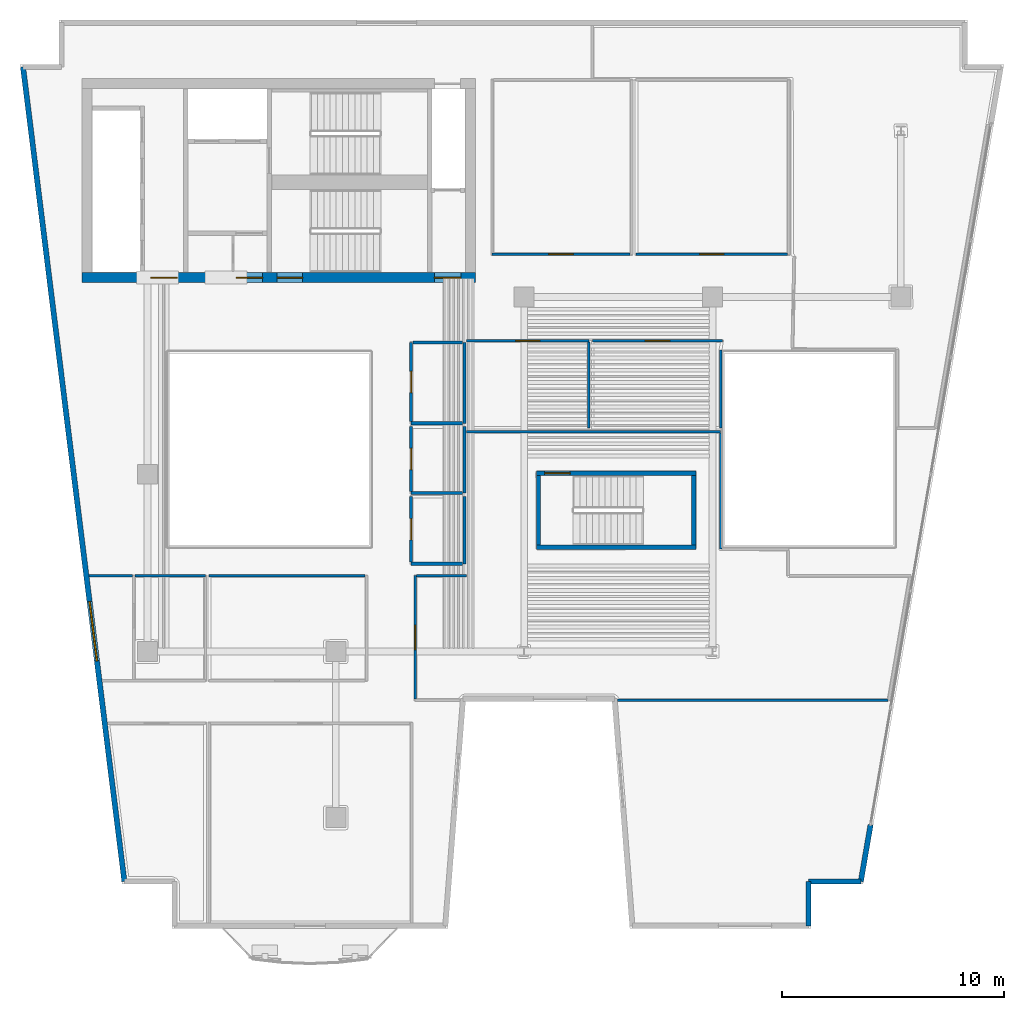
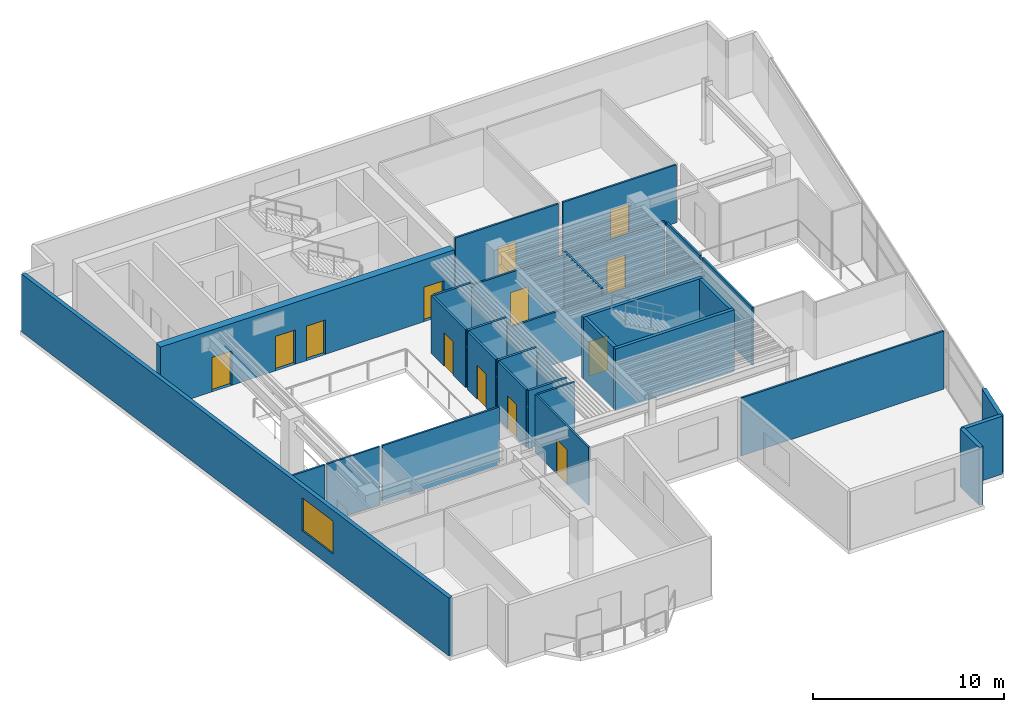
# One storey, part 4 of 9: 33 walls, 13 doors, 1 window, 14 openings.
"""IFC4 building model written with IfcOpenShell, lengths in metres."""

from ifc_helpers import new_model, si_unit, direction, frame, frame_2d, origin, place, context, subcontext, project, spatial, rectangle, extrude, material, layer, layer_set, type_object, element, fill, save


model = new_model("IFC4")

# Units and contexts
model_context = context("Model", 3, precision=1e-05, world=origin(), true_north=direction((0.0, 1.0)))
body_context = subcontext(model_context, "Body", "Model", "MODEL_VIEW")
ifc_project = project(units=[si_unit("LENGTHUNIT", "METRE"), si_unit("AREAUNIT", "SQUARE_METRE"), si_unit("VOLUMEUNIT", "CUBIC_METRE"), si_unit("PLANEANGLEUNIT", "RADIAN"), si_unit("MASSUNIT", "GRAM", prefix="KILO")], contexts=[model_context])

# Site, building, storey
site_placement = place(None, origin())
site = spatial("IfcSite", under=ifc_project, at=site_placement, CompositionType="ELEMENT")
building_placement = place(site_placement, origin())
building = spatial("IfcBuilding", under=site, at=building_placement, Name="Caeloran Harvest Quay", CompositionType="ELEMENT")
storey_placement = place(building_placement, frame((0.0, 0.0, 215.35009765625)))
storey = spatial("IfcBuildingStorey", under=building, at=storey_placement, Name="L51", CompositionType="ELEMENT", Elevation=215.35009765625)

# Wall, opening, window
ifc_material_1 = material(Name="Precast concrete C50/60", Category="concrete")
ifc_layer_1 = layer(ifc_material_1, 0.239990234375, Name="Precast concrete C50/60")
ifc_layer_set_1 = layer_set([ifc_layer_1], Name="Precast concrete C50/60")
wall_type_1 = type_object("IfcWallType", Name="ENV-WALL-EW-240", PredefinedType="STANDARD", material=ifc_layer_set_1)
wall_1_placement = place(storey_placement, frame((7.460205078125, 4.6201171875, 0.0), z_axis=(0.0, 0.0, 1.0), x_axis=(-0.123515576323, 0.992342633573, 0.0)))
wall_1 = element("IfcWall", 1, at=wall_1_placement, inside=storey, type_object=wall_type_1, Name="L51 Exterior Precast Concrete Facade Wall 3", PredefinedType="STANDARD", context=body_context, shape_type="SweptSolid", body=[
    extrude(rectangle(XDim=37.04345703125, YDim=0.239990234375, at=frame_2d((18.521728515625, 0.0))), origin(), (0.0, 0.0, 1.0), 3.699951171875),
])
opening_1_placement = place(wall_1_placement, frame((10.0322265625, 0.0, 0.89990234375)))
opening_1 = element("IfcOpeningElement", 2, at=opening_1_placement, cuts=wall_1, Name="Opening W-07", PredefinedType="OPENING", context=body_context, shape_type="SweptSolid", body=[
    extrude(rectangle(XDim=2.699951171875, YDim=2.10009765625, at=frame_2d((1.35009765625, 1.050048828125))), frame((0.0, 0.1298828125, 0.0), z_axis=(0.0, -1.0, 0.0), x_axis=(1.0, 0.0, 0.0)), (0.0, 0.0, 1.0), 0.260009765625),
])
ifc_material_2 = material(Name="Aluminium-Framed Low-E Laminated Glass", Category="aluminium")
window_type = type_object("IfcWindowType", Name="WIN-W-07", PartitioningType="DOUBLE_PANEL_VERTICAL", PredefinedType="WINDOW", material=ifc_material_2)
window_placement = place(opening_1_placement, origin())
window = element("IfcWindow", 3, at=window_placement, inside=storey, type_object=window_type, Name="L51 Facade Punched Window W-07", OverallHeight=2.10009765625, OverallWidth=2.699951171875, PartitioningType="DOUBLE_PANEL_VERTICAL", PredefinedType="WINDOW", context=body_context, shape_type="SweptSolid", body=[
    extrude(rectangle(XDim=2.699951171875, YDim=2.10009765625, at=frame_2d((1.35009765625, 1.050048828125))), frame((0.0, 0.030029296875, 0.0), z_axis=(0.0, -1.0, 0.0), x_axis=(1.0, 0.0, 0.0)), (0.0, 0.0, 1.0), 0.06005859375),
])
fill(opening_1, window)

# Walls
wall_2_placement = place(storey_placement, frame((41.135986328125, 7.182373046875, 0.0), z_axis=(0.0, 0.0, 1.0), x_axis=(-0.169315679152, -0.985561870606, 0.0)))
element("IfcWall", 4, at=wall_2_placement, inside=storey, type_object=wall_type_1, Name="L51 Exterior Facade Corner Pier Wall 9B", PredefinedType="STANDARD", context=body_context, shape_type="SweptSolid", body=[
    extrude(rectangle(XDim=2.599853515625, YDim=0.239990234375, at=frame_2d((1.2998046875, 0.0))), origin(), (0.0, 0.0, 1.0), 3.699951171875),
])
wall_3_placement = place(storey_placement, frame((40.69580078125, 4.6201171875, 0.0), z_axis=(0.0, 0.0, 1.0), x_axis=(-1.0, 0.0, 0.0)))
element("IfcWall", 5, at=wall_3_placement, inside=storey, type_object=wall_type_1, Name="L51 Exterior Precast Concrete Facade Wall 10", PredefinedType="STANDARD", context=body_context, shape_type="SweptSolid", body=[
    extrude(rectangle(XDim=2.36279296875, YDim=0.239990234375, at=frame_2d((1.181396484375, 0.0))), origin(), (0.0, 0.0, 1.0), 3.699951171875),
])
wall_4_placement = place(storey_placement, frame((38.3330078125, 4.6201171875, 0.0), z_axis=(0.0, 0.0, 1.0), x_axis=(0.0, -1.0, 0.0)))
element("IfcWall", 6, at=wall_4_placement, inside=storey, type_object=wall_type_1, Name="L51 Exterior Precast Concrete Facade Wall 11", PredefinedType="STANDARD", context=body_context, shape_type="SweptSolid", body=[
    extrude(rectangle(XDim=2.0, YDim=0.239990234375, at=frame_2d((1.0, 0.0))), origin(), (0.0, 0.0, 1.0), 3.699951171875),
])

# Wall, opening, door
ifc_material_3 = material(Name="Single-Stud Acoustic Gypsum Office Partition", Category="gypsum")
ifc_layer_2 = layer(ifc_material_3, 0.112060546875, Name="Single-Stud Acoustic Gypsum Office Partition")
ifc_layer_set_2 = layer_set([ifc_layer_2], Name="Single-Stud Acoustic Gypsum Office Partition")
wall_type_2 = type_object("IfcWallType", Name="INT-WALL-PW-112", PredefinedType="PARTITIONING", material=ifc_layer_set_2)
wall_5_placement = place(storey_placement, frame((30.2890625, 32.919921875, 0.0), z_axis=(0.0, 0.0, 1.0), x_axis=(-1.0, 0.0, 0.0)))
wall_5 = element("IfcWall", 7, at=wall_5_placement, inside=storey, type_object=wall_type_2, Name="L51 Bioinformatics and Crop Phenotyping Laboratory Partition Wall", PredefinedType="PARTITIONING", context=body_context, shape_type="SweptSolid", body=[
    extrude(rectangle(XDim=6.239013671875, YDim=0.112060546875, at=frame_2d((3.11962890625, 0.0))), origin(), (0.0, 0.0, 1.0), 3.699951171875),
])
opening_2_placement = place(wall_5_placement, frame((2.569580078125, 0.0, 0.0)))
opening_2 = element("IfcOpeningElement", 8, at=opening_2_placement, cuts=wall_5, Name="Opening ID-04", PredefinedType="OPENING", context=body_context, shape_type="SweptSolid", body=[
    extrude(rectangle(XDim=1.10009765625, YDim=2.199951171875, at=frame_2d((0.550048828125, 1.10009765625))), frame((0.0, 0.06591796875, 0.0), z_axis=(0.0, -1.0, 0.0), x_axis=(1.0, 0.0, 0.0)), (0.0, 0.0, 1.0), 0.132080078125),
])
ifc_material_4 = material(Name="Acoustic Walnut Veneer Executive Door", Category="wood")
door_type_1 = type_object("IfcDoorType", Name="INTDOOR-ID-04", OperationType="NOTDEFINED", PredefinedType="DOOR", material=ifc_material_4)
door_1_placement = place(opening_2_placement, origin())
door_1 = element("IfcDoor", 9, at=door_1_placement, inside=storey, type_object=door_type_1, Name="L51 Bioinformatics and Crop Phenotyping Laboratory Access Door", OperationType="SINGLE_SWING_RIGHT", OverallHeight=2.199951171875, OverallWidth=1.10009765625, PredefinedType="DOOR", context=body_context, shape_type="SweptSolid", body=[
    extrude(rectangle(XDim=1.10009765625, YDim=2.199951171875, at=frame_2d((0.550048828125, 1.10009765625))), frame((0.0, 0.02490234375, 0.0), z_axis=(0.0, -1.0, 0.0), x_axis=(1.0, 0.0, 0.0)), (0.0, 0.0, 1.0), 0.050048828125),
])
fill(opening_2, door_1)

wall_6_placement = place(storey_placement, frame((37.388916015625, 32.919921875, 0.0), z_axis=(0.0, 0.0, 1.0), x_axis=(-1.0, 0.0, 0.0)))
wall_6 = element("IfcWall", 10, at=wall_6_placement, inside=storey, type_object=wall_type_2, Name="L51 Agri-Genomics Executive Strategy Boardroom Partition Wall", PredefinedType="PARTITIONING", context=body_context, shape_type="SweptSolid", body=[
    extrude(rectangle(XDim=6.8388671875, YDim=0.112060546875, at=frame_2d((3.41943359375, 0.0))), origin(), (0.0, 0.0, 1.0), 3.699951171875),
])
opening_3_placement = place(wall_6_placement, frame((2.869384765625, 0.0, 0.0)))
opening_3 = element("IfcOpeningElement", 11, at=opening_3_placement, cuts=wall_6, Name="Opening ID-04", PredefinedType="OPENING", context=body_context, shape_type="SweptSolid", body=[
    extrude(rectangle(XDim=1.10009765625, YDim=2.199951171875, at=frame_2d((0.550048828125, 1.10009765625))), frame((0.0, 0.06591796875, 0.0), z_axis=(0.0, -1.0, 0.0), x_axis=(1.0, 0.0, 0.0)), (0.0, 0.0, 1.0), 0.132080078125),
])
door_2_placement = place(opening_3_placement, origin())
door_2 = element("IfcDoor", 12, at=door_2_placement, inside=storey, type_object=door_type_1, Name="L51 Agri-Genomics Executive Strategy Boardroom Access Door", OperationType="SINGLE_SWING_LEFT", OverallHeight=2.199951171875, OverallWidth=1.10009765625, PredefinedType="DOOR", context=body_context, shape_type="SweptSolid", body=[
    extrude(rectangle(XDim=1.10009765625, YDim=2.199951171875, at=frame_2d((0.550048828125, 1.10009765625))), frame((0.0, 0.02490234375, 0.0), z_axis=(0.0, -1.0, 0.0), x_axis=(1.0, 0.0, 0.0)), (0.0, 0.0, 1.0), 0.050048828125),
])
fill(opening_3, door_2)

# Walls
wall_7_placement = place(storey_placement, frame((5.868408203125, 18.419921875, 0.0), z_axis=(0.0, 0.0, 1.0), x_axis=(1.0, 0.0, 0.0)))
element("IfcWall", 13, at=wall_7_placement, inside=storey, type_object=wall_type_2, Name="Econometric Wet Laboratory Partition Wall", PredefinedType="PARTITIONING", context=body_context, shape_type="SweptSolid", body=[
    extrude(rectangle(XDim=1.95068359375, YDim=0.112060546875, at=frame_2d((0.975341796875, 0.0))), origin(), (0.0, 0.0, 1.0), 3.699951171875),
])
wall_8_placement = place(storey_placement, frame((7.94091796875, 18.419921875, 0.0), z_axis=(0.0, 0.0, 1.0), x_axis=(1.0, 0.0, 0.0)))
element("IfcWall", 14, at=wall_8_placement, inside=storey, type_object=wall_type_2, Name="Econometric Wet Laboratory Partition Wall", PredefinedType="PARTITIONING", context=body_context, shape_type="SweptSolid", body=[
    extrude(rectangle(XDim=3.17919921875, YDim=0.112060546875, at=frame_2d((1.589599609375, 0.0))), origin(), (0.0, 0.0, 1.0), 3.699951171875),
])
wall_9_placement = place(storey_placement, frame((11.280029296875, 18.419921875, 0.0), z_axis=(0.0, 0.0, 1.0), x_axis=(1.0, 0.0, 0.0)))
element("IfcWall", 15, at=wall_9_placement, inside=storey, type_object=wall_type_2, Name="Fellows Tasting Kitchen Partition Wall", PredefinedType="PARTITIONING", context=body_context, shape_type="SweptSolid", body=[
    extrude(rectangle(XDim=7.049072265625, YDim=0.112060546875, at=frame_2d((3.5244140625, 0.0))), origin(), (0.0, 0.0, 1.0), 3.699951171875),
])

# Wall, opening, door
wall_10_placement = place(storey_placement, frame((20.580078125, 12.861083984375, 0.0), z_axis=(0.0, 0.0, 1.0), x_axis=(0.0, 1.0, 0.0)))
wall_10 = element("IfcWall", 16, at=wall_10_placement, inside=storey, type_object=wall_type_2, Name="Roundtable Conference Room Partition Wall", PredefinedType="PARTITIONING", context=body_context, shape_type="SweptSolid", body=[
    extrude(rectangle(XDim=5.558837890625, YDim=0.112060546875, at=frame_2d((2.779296875, 0.0))), origin(), (0.0, 0.0, 1.0), 3.699951171875),
])
opening_4_placement = place(wall_10_placement, frame((2.2294921875, 0.0, 0.0)))
opening_4 = element("IfcOpeningElement", 17, at=opening_4_placement, cuts=wall_10, Name="Opening ID-04", PredefinedType="OPENING", context=body_context, shape_type="SweptSolid", body=[
    extrude(rectangle(XDim=1.10009765625, YDim=2.199951171875, at=frame_2d((0.550048828125, 1.10009765625))), frame((0.0, 0.06591796875, 0.0), z_axis=(0.0, -1.0, 0.0), x_axis=(1.0, 0.0, 0.0)), (0.0, 0.0, 1.0), 0.132080078125),
])
door_3_placement = place(opening_4_placement, origin())
door_3 = element("IfcDoor", 18, at=door_3_placement, inside=storey, type_object=door_type_1, Name="Roundtable Conference Room Access Door", OperationType="SINGLE_SWING_LEFT", OverallHeight=2.199951171875, OverallWidth=1.10009765625, PredefinedType="DOOR", context=body_context, shape_type="SweptSolid", body=[
    extrude(rectangle(XDim=1.10009765625, YDim=2.199951171875, at=frame_2d((0.550048828125, 1.10009765625))), frame((0.0, 0.02490234375, 0.0), z_axis=(0.0, -1.0, 0.0), x_axis=(1.0, 0.0, 0.0)), (0.0, 0.0, 1.0), 0.050048828125),
])
fill(opening_4, door_3)

# Walls
wall_11_placement = place(storey_placement, frame((20.64111328125, 18.419921875, 0.0), z_axis=(0.0, 0.0, 1.0), x_axis=(1.0, 0.0, 0.0)))
element("IfcWall", 19, at=wall_11_placement, inside=storey, type_object=wall_type_2, Name="Roundtable Conference Room Partition Wall", PredefinedType="PARTITIONING", context=body_context, shape_type="SweptSolid", body=[
    extrude(rectangle(XDim=2.248779296875, YDim=0.112060546875, at=frame_2d((1.12451171875, 0.0))), origin(), (0.0, 0.0, 1.0), 3.699951171875),
])
wall_12_placement = place(storey_placement, frame((22.909912109375, 24.919921875, 0.0), z_axis=(0.0, 0.0, 1.0), x_axis=(1.0, 0.0, 0.0)))
element("IfcWall", 20, at=wall_12_placement, inside=storey, type_object=wall_type_2, Name="Roundtable Conference Room Partition Wall", PredefinedType="PARTITIONING", context=body_context, shape_type="SweptSolid", body=[
    extrude(rectangle(XDim=11.460205078125, YDim=0.112060546875, at=frame_2d((5.72998046875, 0.0))), origin(), (0.0, 0.0, 1.0), 3.324951171875),
])
wall_13_placement = place(storey_placement, frame((34.3701171875, 24.85888671875, 0.0), z_axis=(0.0, 0.0, 1.0), x_axis=(0.0, -1.0, 0.0)))
element("IfcWall", 21, at=wall_13_placement, inside=storey, type_object=wall_type_2, Name="Roundtable Conference Room Partition Wall", PredefinedType="PARTITIONING", context=body_context, shape_type="SweptSolid", body=[
    extrude(rectangle(XDim=5.23876953125, YDim=0.112060546875, at=frame_2d((2.619384765625, 0.0))), origin(), (0.0, 0.0, 1.0), 3.699951171875),
])
wall_14_placement = place(storey_placement, frame((41.930419921875, 12.800048828125, 0.0), z_axis=(0.0, 0.0, 1.0), x_axis=(-1.0, 0.0, 0.0)))
element("IfcWall", 22, at=wall_14_placement, inside=storey, type_object=wall_type_2, Name="Roundtable Conference Room Partition Wall", PredefinedType="PARTITIONING", context=body_context, shape_type="SweptSolid", body=[
    extrude(rectangle(XDim=12.21923828125, YDim=0.112060546875, at=frame_2d((6.109619140625, 0.0))), origin(), (0.0, 0.0, 1.0), 3.699951171875),
])

# Wall, opening, door
wall_15_placement = place(storey_placement, frame((22.909912109375, 29.02001953125, 0.0), z_axis=(0.0, 0.0, 1.0), x_axis=(1.0, 0.0, 0.0)))
wall_15 = element("IfcWall", 23, at=wall_15_placement, inside=storey, type_object=wall_type_2, Name="Harbour Tea Kitchen Partition Wall", PredefinedType="PARTITIONING", context=body_context, shape_type="SweptSolid", body=[
    extrude(rectangle(XDim=5.510009765625, YDim=0.112060546875, at=frame_2d((2.7548828125, 0.0))), origin(), (0.0, 0.0, 1.0), 3.48486328125),
])
opening_5_placement = place(wall_15_placement, frame((2.205078125, 0.0, 0.0)))
opening_5 = element("IfcOpeningElement", 24, at=opening_5_placement, cuts=wall_15, Name="Opening ID-04", PredefinedType="OPENING", context=body_context, shape_type="SweptSolid", body=[
    extrude(rectangle(XDim=1.10009765625, YDim=2.199951171875, at=frame_2d((0.550048828125, 1.10009765625))), frame((0.0, 0.06591796875, 0.0), z_axis=(0.0, -1.0, 0.0), x_axis=(1.0, 0.0, 0.0)), (0.0, 0.0, 1.0), 0.132080078125),
])
door_4_placement = place(opening_5_placement, origin())
door_4 = element("IfcDoor", 25, at=door_4_placement, inside=storey, type_object=door_type_1, Name="Harbour Tea Kitchen Access Door", OperationType="SINGLE_SWING_RIGHT", OverallHeight=2.199951171875, OverallWidth=1.10009765625, PredefinedType="DOOR", context=body_context, shape_type="SweptSolid", body=[
    extrude(rectangle(XDim=1.10009765625, YDim=2.199951171875, at=frame_2d((0.550048828125, 1.10009765625))), frame((0.0, 0.02490234375, 0.0), z_axis=(0.0, -1.0, 0.0), x_axis=(1.0, 0.0, 0.0)), (0.0, 0.0, 1.0), 0.050048828125),
])
fill(opening_5, door_4)

# Walls
wall_16_placement = place(storey_placement, frame((28.419921875, 28.958984375, 0.0), z_axis=(0.0, 0.0, 1.0), x_axis=(0.0, -1.0, 0.0)))
element("IfcWall", 26, at=wall_16_placement, inside=storey, type_object=wall_type_2, Name="Harbour Tea Kitchen Partition Wall", PredefinedType="PARTITIONING", context=body_context, shape_type="SweptSolid", body=[
    extrude(rectangle(XDim=3.87890625, YDim=0.112060546875, at=frame_2d((1.939453125, 0.0))), origin(), (0.0, 0.0, 1.0), 3.699951171875),
])
wall_17_placement = place(storey_placement, frame((34.3701171875, 28.60009765625, 0.0), z_axis=(0.0, 0.0, 1.0), x_axis=(0.0, -1.0, 0.0)))
element("IfcWall", 27, at=wall_17_placement, inside=storey, type_object=wall_type_2, Name="Food-Security Culinary Kitchen 7 Partition Wall", PredefinedType="PARTITIONING", context=body_context, shape_type="SweptSolid", body=[
    extrude(rectangle(XDim=3.52001953125, YDim=0.112060546875, at=frame_2d((1.760009765625, 0.0))), origin(), (0.0, 0.0, 1.0), 3.699951171875),
])

# Wall, opening, door
wall_18_placement = place(storey_placement, frame((28.580078125, 29.02001953125, 0.0), z_axis=(0.0, 0.0, 1.0), x_axis=(1.0, 0.0, 0.0)))
wall_18 = element("IfcWall", 28, at=wall_18_placement, inside=storey, type_object=wall_type_2, Name="Food-Security Culinary Kitchen 7 Partition Wall", PredefinedType="PARTITIONING", context=body_context, shape_type="SweptSolid", body=[
    extrude(rectangle(XDim=5.871826171875, YDim=0.112060546875, at=frame_2d((2.93603515625, 0.0))), origin(), (0.0, 0.0, 1.0), 3.48486328125),
])
opening_6_placement = place(wall_18_placement, frame((2.385986328125, 0.0, 0.0)))
opening_6 = element("IfcOpeningElement", 29, at=opening_6_placement, cuts=wall_18, Name="Opening ID-04", PredefinedType="OPENING", context=body_context, shape_type="SweptSolid", body=[
    extrude(rectangle(XDim=1.10009765625, YDim=2.199951171875, at=frame_2d((0.550048828125, 1.10009765625))), frame((0.0, 0.06591796875, 0.0), z_axis=(0.0, -1.0, 0.0), x_axis=(1.0, 0.0, 0.0)), (0.0, 0.0, 1.0), 0.132080078125),
])
door_5_placement = place(opening_6_placement, origin())
door_5 = element("IfcDoor", 30, at=door_5_placement, inside=storey, type_object=door_type_1, Name="Food-Security Culinary Kitchen 7 Access Door", OperationType="SINGLE_SWING_LEFT", OverallHeight=2.199951171875, OverallWidth=1.10009765625, PredefinedType="DOOR", context=body_context, shape_type="SweptSolid", body=[
    extrude(rectangle(XDim=1.10009765625, YDim=2.199951171875, at=frame_2d((0.550048828125, 1.10009765625))), frame((0.0, 0.02490234375, 0.0), z_axis=(0.0, -1.0, 0.0), x_axis=(1.0, 0.0, 0.0)), (0.0, 0.0, 1.0), 0.050048828125),
])
fill(opening_6, door_5)

# Walls
ifc_material_5 = material(Name="Moisture-Resistant Cement-Board Sanitary Partition", Category="gypsum")
ifc_layer_3 = layer(ifc_material_5, 0.139892578125, Name="Moisture-Resistant Cement-Board Sanitary Partition")
ifc_layer_set_3 = layer_set([ifc_layer_3], Name="Moisture-Resistant Cement-Board Sanitary Partition")
wall_type_3 = type_object("IfcWallType", Name="INT-WALL-PW-140", PredefinedType="PARTITIONING", material=ifc_layer_set_3)
wall_19_placement = place(storey_placement, frame((22.800048828125, 28.949951171875, 0.0), z_axis=(0.0, 0.0, 1.0), x_axis=(0.0, -1.0, 0.0)))
element("IfcWall", 31, at=wall_19_placement, inside=storey, type_object=wall_type_3, Name="L51 Male Washroom WC Partition Wall", PredefinedType="PARTITIONING", context=body_context, shape_type="SweptSolid", body=[
    extrude(rectangle(XDim=3.64990234375, YDim=0.139892578125, at=frame_2d((1.824951171875, 0.0))), origin(), (0.0, 0.0, 1.0), 3.324951171875),
])
wall_20_placement = place(storey_placement, frame((22.72509765625, 25.300048828125, 0.0), z_axis=(0.0, 0.0, 1.0), x_axis=(-1.0, 0.0, 0.0)))
element("IfcWall", 32, at=wall_20_placement, inside=storey, type_object=wall_type_3, Name="L51 Male Washroom WC Partition Wall", PredefinedType="PARTITIONING", context=body_context, shape_type="SweptSolid", body=[
    extrude(rectangle(XDim=2.3251953125, YDim=0.139892578125, at=frame_2d((1.16259765625, 0.0))), origin(), (0.0, 0.0, 1.0), 3.699951171875),
])

# Wall, opening, door
wall_21_placement = place(storey_placement, frame((20.39990234375, 25.375, 0.0), z_axis=(0.0, 0.0, 1.0), x_axis=(0.0, 1.0, 0.0)))
wall_21 = element("IfcWall", 33, at=wall_21_placement, inside=storey, type_object=wall_type_3, Name="L51 Male Washroom WC Partition Wall", PredefinedType="PARTITIONING", context=body_context, shape_type="SweptSolid", body=[
    extrude(rectangle(XDim=3.574951171875, YDim=0.139892578125, at=frame_2d((1.78759765625, 0.0))), origin(), (0.0, 0.0, 1.0), 3.699951171875),
])
opening_7_placement = place(wall_21_placement, frame((1.3125, 0.0, 0.0)))
opening_7 = element("IfcOpeningElement", 34, at=opening_7_placement, cuts=wall_21, Name="Opening WC-01", PredefinedType="OPENING", context=body_context, shape_type="SweptSolid", body=[
    extrude(rectangle(XDim=0.949951171875, YDim=2.14990234375, at=frame_2d((0.47509765625, 1.074951171875))), frame((0.0, 0.080078125, 0.0), z_axis=(0.0, -1.0, 0.0), x_axis=(1.0, 0.0, 0.0)), (0.0, 0.0, 1.0), 0.159912109375),
])
ifc_material_6 = material(Name="High-Pressure Laminate Moisture-Resistant Timber", Category="wood")
door_type_2 = type_object("IfcDoorType", Name="INTDOOR-WC-01", OperationType="NOTDEFINED", PredefinedType="DOOR", material=ifc_material_6)
door_6_placement = place(opening_7_placement, origin())
door_6 = element("IfcDoor", 35, at=door_6_placement, inside=storey, type_object=door_type_2, Name="L51 Male Washroom WC Access Door", OperationType="SINGLE_SWING_RIGHT", OverallHeight=2.14990234375, OverallWidth=0.949951171875, PredefinedType="DOOR", context=body_context, shape_type="SweptSolid", body=[
    extrude(rectangle(XDim=0.949951171875, YDim=2.14990234375, at=frame_2d((0.47509765625, 1.074951171875))), frame((0.0, 0.02490234375, 0.0), z_axis=(0.0, -1.0, 0.0), x_axis=(1.0, 0.0, 0.0)), (0.0, 0.0, 1.0), 0.050048828125),
])
fill(opening_7, door_6)

# Walls
wall_22_placement = place(storey_placement, frame((20.47509765625, 28.949951171875, 0.0), z_axis=(0.0, 0.0, 1.0), x_axis=(1.0, 0.0, 0.0)))
element("IfcWall", 36, at=wall_22_placement, inside=storey, type_object=wall_type_3, Name="L51 Male Washroom WC Partition Wall", PredefinedType="PARTITIONING", context=body_context, shape_type="SweptSolid", body=[
    extrude(rectangle(XDim=2.25, YDim=0.139892578125, at=frame_2d((1.125, 0.0))), origin(), (0.0, 0.0, 1.0), 3.699951171875),
])
wall_23_placement = place(storey_placement, frame((22.800048828125, 25.14990234375, 0.0), z_axis=(0.0, 0.0, 1.0), x_axis=(0.0, -1.0, 0.0)))
element("IfcWall", 37, at=wall_23_placement, inside=storey, type_object=wall_type_3, Name="L51 Female Washroom WC Partition Wall", PredefinedType="PARTITIONING", context=body_context, shape_type="SweptSolid", body=[
    extrude(rectangle(XDim=3.0, YDim=0.139892578125, at=frame_2d((1.5, 0.0))), origin(), (0.0, 0.0, 1.0), 3.324951171875),
])
wall_24_placement = place(storey_placement, frame((22.72509765625, 22.14990234375, 0.0), z_axis=(0.0, 0.0, 1.0), x_axis=(-1.0, 0.0, 0.0)))
element("IfcWall", 38, at=wall_24_placement, inside=storey, type_object=wall_type_3, Name="L51 Female Washroom WC Partition Wall", PredefinedType="PARTITIONING", context=body_context, shape_type="SweptSolid", body=[
    extrude(rectangle(XDim=2.3251953125, YDim=0.139892578125, at=frame_2d((1.16259765625, 0.0))), origin(), (0.0, 0.0, 1.0), 3.699951171875),
])

# Wall, opening, door
wall_25_placement = place(storey_placement, frame((20.39990234375, 22.22509765625, 0.0), z_axis=(0.0, 0.0, 1.0), x_axis=(0.0, 1.0, 0.0)))
wall_25 = element("IfcWall", 39, at=wall_25_placement, inside=storey, type_object=wall_type_3, Name="L51 Female Washroom WC Partition Wall", PredefinedType="PARTITIONING", context=body_context, shape_type="SweptSolid", body=[
    extrude(rectangle(XDim=2.9248046875, YDim=0.139892578125, at=frame_2d((1.46240234375, 0.0))), origin(), (0.0, 0.0, 1.0), 3.699951171875),
])
opening_8_placement = place(wall_25_placement, frame((0.987548828125, 0.0, 0.0)))
opening_8 = element("IfcOpeningElement", 40, at=opening_8_placement, cuts=wall_25, Name="Opening WC-01", PredefinedType="OPENING", context=body_context, shape_type="SweptSolid", body=[
    extrude(rectangle(XDim=0.949951171875, YDim=2.14990234375, at=frame_2d((0.47509765625, 1.074951171875))), frame((0.0, 0.080078125, 0.0), z_axis=(0.0, -1.0, 0.0), x_axis=(1.0, 0.0, 0.0)), (0.0, 0.0, 1.0), 0.159912109375),
])
door_7_placement = place(opening_8_placement, origin())
door_7 = element("IfcDoor", 41, at=door_7_placement, inside=storey, type_object=door_type_2, Name="L51 Female Washroom WC Access Door", OperationType="SINGLE_SWING_LEFT", OverallHeight=2.14990234375, OverallWidth=0.949951171875, PredefinedType="DOOR", context=body_context, shape_type="SweptSolid", body=[
    extrude(rectangle(XDim=0.949951171875, YDim=2.14990234375, at=frame_2d((0.47509765625, 1.074951171875))), frame((0.0, 0.02490234375, 0.0), z_axis=(0.0, -1.0, 0.0), x_axis=(1.0, 0.0, 0.0)), (0.0, 0.0, 1.0), 0.050048828125),
])
fill(opening_8, door_7)

# Walls
wall_26_placement = place(storey_placement, frame((22.800048828125, 22.0, 0.0), z_axis=(0.0, 0.0, 1.0), x_axis=(0.0, -1.0, 0.0)))
element("IfcWall", 42, at=wall_26_placement, inside=storey, type_object=wall_type_3, Name="L51 Accessible Unisex Washroom WC Partition Wall", PredefinedType="PARTITIONING", context=body_context, shape_type="SweptSolid", body=[
    extrude(rectangle(XDim=3.0400390625, YDim=0.139892578125, at=frame_2d((1.52001953125, 0.0))), origin(), (0.0, 0.0, 1.0), 3.324951171875),
])
wall_27_placement = place(storey_placement, frame((22.72509765625, 18.9599609375, 0.0), z_axis=(0.0, 0.0, 1.0), x_axis=(-1.0, 0.0, 0.0)))
element("IfcWall", 43, at=wall_27_placement, inside=storey, type_object=wall_type_3, Name="L51 Accessible Unisex Washroom WC Partition Wall", PredefinedType="PARTITIONING", context=body_context, shape_type="SweptSolid", body=[
    extrude(rectangle(XDim=2.3251953125, YDim=0.139892578125, at=frame_2d((1.16259765625, 0.0))), origin(), (0.0, 0.0, 1.0), 3.699951171875),
])

# Wall, opening, door
wall_28_placement = place(storey_placement, frame((20.39990234375, 19.034912109375, 0.0), z_axis=(0.0, 0.0, 1.0), x_axis=(0.0, 1.0, 0.0)))
wall_28 = element("IfcWall", 44, at=wall_28_placement, inside=storey, type_object=wall_type_3, Name="L51 Accessible Unisex Washroom WC Partition Wall", PredefinedType="PARTITIONING", context=body_context, shape_type="SweptSolid", body=[
    extrude(rectangle(XDim=2.965087890625, YDim=0.139892578125, at=frame_2d((1.482421875, 0.0))), origin(), (0.0, 0.0, 1.0), 3.699951171875),
])
opening_9_placement = place(wall_28_placement, frame((1.007568359375, 0.0, 0.0)))
opening_9 = element("IfcOpeningElement", 45, at=opening_9_placement, cuts=wall_28, Name="Opening WC-01", PredefinedType="OPENING", context=body_context, shape_type="SweptSolid", body=[
    extrude(rectangle(XDim=0.949951171875, YDim=2.14990234375, at=frame_2d((0.47509765625, 1.074951171875))), frame((0.0, 0.080078125, 0.0), z_axis=(0.0, -1.0, 0.0), x_axis=(1.0, 0.0, 0.0)), (0.0, 0.0, 1.0), 0.159912109375),
])
door_8_placement = place(opening_9_placement, origin())
door_8 = element("IfcDoor", 46, at=door_8_placement, inside=storey, type_object=door_type_2, Name="L51 Accessible Unisex Washroom WC Access Door", OperationType="SINGLE_SWING_RIGHT", OverallHeight=2.14990234375, OverallWidth=0.949951171875, PredefinedType="DOOR", context=body_context, shape_type="SweptSolid", body=[
    extrude(rectangle(XDim=0.949951171875, YDim=2.14990234375, at=frame_2d((0.47509765625, 1.074951171875))), frame((0.0, 0.02490234375, 0.0), z_axis=(0.0, -1.0, 0.0), x_axis=(1.0, 0.0, 0.0)), (0.0, 0.0, 1.0), 0.050048828125),
])
fill(opening_9, door_8)

# Wall, openings, doors
ifc_material_7 = material(Name="Concrete C60/75", Category="concrete")
ifc_layer_4 = layer(ifc_material_7, 0.449951171875, Name="Concrete C60/75")
ifc_layer_set_4 = layer_set([ifc_layer_4], Name="Concrete C60/75")
wall_type_4 = type_object("IfcWallType", Name="STR-WALL-CW-450", PredefinedType="SHEAR", material=ifc_layer_set_4)
wall_29_placement = place(storey_placement, frame((5.550048828125, 31.875, 0.0), z_axis=(0.0, 0.0, 1.0), x_axis=(1.0, 0.0, 0.0)))
wall_29 = element("IfcWall", 47, at=wall_29_placement, inside=storey, type_object=wall_type_4, Name="L51 Rear Core Shear Wall S", PredefinedType="SHEAR", context=body_context, shape_type="SweptSolid", body=[
    extrude(rectangle(XDim=17.75, YDim=0.449951171875, at=frame_2d((8.875, 0.0))), origin(), (0.0, 0.0, 1.0), 3.949951171875),
])
opening_10_placement = place(wall_29_placement, frame((3.10009765625, 0.0, 0.0)))
opening_10 = element("IfcOpeningElement", 48, at=opening_10_placement, cuts=wall_29, Name="Opening FD-01", PredefinedType="OPENING", context=body_context, shape_type="SweptSolid", body=[
    extrude(rectangle(XDim=1.199951171875, YDim=2.199951171875, at=frame_2d((0.60009765625, 1.10009765625))), frame((0.0, 0.23486328125, 0.0), z_axis=(0.0, -1.0, 0.0), x_axis=(1.0, 0.0, 0.0)), (0.0, 0.0, 1.0), 0.469970703125),
])
opening_11_placement = place(wall_29_placement, frame((6.949951171875, 0.0, 0.0)))
opening_11 = element("IfcOpeningElement", 49, at=opening_11_placement, cuts=wall_29, Name="Opening FD-01", PredefinedType="OPENING", context=body_context, shape_type="SweptSolid", body=[
    extrude(rectangle(XDim=1.199951171875, YDim=2.199951171875, at=frame_2d((0.60009765625, 1.10009765625))), frame((0.0, 0.23486328125, 0.0), z_axis=(0.0, -1.0, 0.0), x_axis=(1.0, 0.0, 0.0)), (0.0, 0.0, 1.0), 0.469970703125),
])
opening_12_placement = place(wall_29_placement, frame((8.800048828125, 0.0, 0.0)))
opening_12 = element("IfcOpeningElement", 50, at=opening_12_placement, cuts=wall_29, Name="Opening SD-01", PredefinedType="OPENING", context=body_context, shape_type="SweptSolid", body=[
    extrude(rectangle(XDim=1.14990234375, YDim=2.199951171875, at=frame_2d((0.574951171875, 1.10009765625))), frame((0.0, 0.23486328125, 0.0), z_axis=(0.0, -1.0, 0.0), x_axis=(1.0, 0.0, 0.0)), (0.0, 0.0, 1.0), 0.469970703125),
])
opening_13_placement = place(wall_29_placement, frame((15.89990234375, 0.0, 0.0)))
opening_13 = element("IfcOpeningElement", 51, at=opening_13_placement, cuts=wall_29, Name="Opening FD-01", PredefinedType="OPENING", context=body_context, shape_type="SweptSolid", body=[
    extrude(rectangle(XDim=1.199951171875, YDim=2.199951171875, at=frame_2d((0.60009765625, 1.10009765625))), frame((0.0, 0.23486328125, 0.0), z_axis=(0.0, -1.0, 0.0), x_axis=(1.0, 0.0, 0.0)), (0.0, 0.0, 1.0), 0.469970703125),
])
ifc_material_8 = material(Name="Steel", Category="steel")
door_type_3 = type_object("IfcDoorType", Name="INTDOOR-FD-01", OperationType="NOTDEFINED", PredefinedType="DOOR", material=ifc_material_8)
door_9_placement = place(opening_10_placement, origin())
door_9 = element("IfcDoor", 52, at=door_9_placement, inside=storey, type_object=door_type_3, Name="L51 High-Rise Lift Lobby Fire Door", OperationType="SINGLE_SWING_RIGHT", OverallHeight=2.199951171875, OverallWidth=1.199951171875, PredefinedType="DOOR", context=body_context, shape_type="SweptSolid", body=[
    extrude(rectangle(XDim=1.199951171875, YDim=2.199951171875, at=frame_2d((0.60009765625, 1.10009765625))), frame((0.0, 0.02490234375, 0.0), z_axis=(0.0, -1.0, 0.0), x_axis=(1.0, 0.0, 0.0)), (0.0, 0.0, 1.0), 0.050048828125),
])
fill(opening_10, door_9)
door_10_placement = place(opening_11_placement, origin())
door_10 = element("IfcDoor", 53, at=door_10_placement, inside=storey, type_object=door_type_3, Name="L51 Firefighting Lobby Vestibule Fire Door", OperationType="SINGLE_SWING_LEFT", OverallHeight=2.199951171875, OverallWidth=1.199951171875, PredefinedType="DOOR", context=body_context, shape_type="SweptSolid", body=[
    extrude(rectangle(XDim=1.199951171875, YDim=2.199951171875, at=frame_2d((0.60009765625, 1.10009765625))), frame((0.0, 0.02490234375, 0.0), z_axis=(0.0, -1.0, 0.0), x_axis=(1.0, 0.0, 0.0)), (0.0, 0.0, 1.0), 0.050048828125),
])
fill(opening_11, door_10)
door_11_placement = place(opening_13_placement, origin())
door_11 = element("IfcDoor", 54, at=door_11_placement, inside=storey, type_object=door_type_3, Name="L51 Service Lift Lobby Fire Door", OperationType="SINGLE_SWING_LEFT", OverallHeight=2.199951171875, OverallWidth=1.199951171875, PredefinedType="DOOR", context=body_context, shape_type="SweptSolid", body=[
    extrude(rectangle(XDim=1.199951171875, YDim=2.199951171875, at=frame_2d((0.60009765625, 1.10009765625))), frame((0.0, 0.02490234375, 0.0), z_axis=(0.0, -1.0, 0.0), x_axis=(1.0, 0.0, 0.0)), (0.0, 0.0, 1.0), 0.050048828125),
])
fill(opening_13, door_11)
door_type_4 = type_object("IfcDoorType", Name="INTDOOR-SD-01", OperationType="NOTDEFINED", PredefinedType="DOOR", material=ifc_material_8)
door_12_placement = place(opening_12_placement, origin())
door_12 = element("IfcDoor", 55, at=door_12_placement, inside=storey, type_object=door_type_4, Name="L51 Protected Stair ST-C2 Exit Door", OperationType="SINGLE_SWING_RIGHT", OverallHeight=2.199951171875, OverallWidth=1.14990234375, PredefinedType="DOOR", context=body_context, shape_type="SweptSolid", body=[
    extrude(rectangle(XDim=1.14990234375, YDim=2.199951171875, at=frame_2d((0.574951171875, 1.10009765625))), frame((0.0, 0.02490234375, 0.0), z_axis=(0.0, -1.0, 0.0), x_axis=(1.0, 0.0, 0.0)), (0.0, 0.0, 1.0), 0.050048828125),
])
fill(opening_12, door_12)

# Wall
ifc_layer_5 = layer(ifc_material_7, 0.199951171875, Name="Concrete C60/75")
ifc_layer_set_5 = layer_set([ifc_layer_5], Name="Concrete C60/75")
wall_type_5 = type_object("IfcWallType", Name="STR-WALL-SW-200", PredefinedType="SHEAR", material=ifc_layer_set_5)
wall_30_placement = place(storey_placement, frame((26.050048828125, 19.699951171875, 0.0), z_axis=(0.0, 0.0, 1.0), x_axis=(1.0, 0.0, 0.0)))
element("IfcWall", 56, at=wall_30_placement, inside=storey, type_object=wall_type_5, Name="L51 Stair ST-W1 S RC Shaft Shear Wall", PredefinedType="SHEAR", context=body_context, shape_type="SweptSolid", body=[
    extrude(rectangle(XDim=7.199951171875, YDim=0.199951171875, at=frame_2d((3.60009765625, 0.0))), origin(), (0.0, 0.0, 1.0), 3.949951171875),
])

# Wall, opening, door
wall_31_placement = place(storey_placement, frame((26.050048828125, 23.050048828125, 0.0), z_axis=(0.0, 0.0, 1.0), x_axis=(1.0, 0.0, 0.0)))
wall_31 = element("IfcWall", 57, at=wall_31_placement, inside=storey, type_object=wall_type_5, Name="L51 Stair ST-W1 N RC Shaft Shear Wall", PredefinedType="SHEAR", context=body_context, shape_type="SweptSolid", body=[
    extrude(rectangle(XDim=7.199951171875, YDim=0.199951171875, at=frame_2d((3.60009765625, 0.0))), origin(), (0.0, 0.0, 1.0), 3.949951171875),
])
opening_14_placement = place(wall_31_placement, frame((0.3798828125, 0.0, 0.0)))
opening_14 = element("IfcOpeningElement", 58, at=opening_14_placement, cuts=wall_31, Name="Opening SD-01", PredefinedType="OPENING", context=body_context, shape_type="SweptSolid", body=[
    extrude(rectangle(XDim=1.14990234375, YDim=2.199951171875, at=frame_2d((0.574951171875, 1.10009765625))), frame((0.0, 0.10986328125, 0.0), z_axis=(0.0, -1.0, 0.0), x_axis=(1.0, 0.0, 0.0)), (0.0, 0.0, 1.0), 0.219970703125),
])
door_13_placement = place(opening_14_placement, origin())
door_13 = element("IfcDoor", 59, at=door_13_placement, inside=storey, type_object=door_type_4, Name="L51 Protected Exit Stair ST-W1 Fire Door", OperationType="SINGLE_SWING_LEFT", OverallHeight=2.199951171875, OverallWidth=1.14990234375, PredefinedType="DOOR", context=body_context, shape_type="SweptSolid", body=[
    extrude(rectangle(XDim=1.14990234375, YDim=2.199951171875, at=frame_2d((0.574951171875, 1.10009765625))), frame((0.0, 0.02490234375, 0.0), z_axis=(0.0, -1.0, 0.0), x_axis=(1.0, 0.0, 0.0)), (0.0, 0.0, 1.0), 0.050048828125),
])
fill(opening_14, door_13)

# Walls
for number, where, z_axis, x_axis, name in (
    (60, (26.14990234375, 19.81005859375, 0.0), (0.0, 0.0, 1.0), (0.0, 1.0, 0.0), "L51 Stair ST-W1 W RC Shaft Shear Wall"),
    (61, (33.14990234375, 19.81005859375, 0.0), (0.0, 0.0, 1.0), (0.0, 1.0, 0.0), "L51 Stair ST-W1 E RC Shaft Shear Wall"),
):
    element("IfcWall", number, at=place(storey_placement, frame(where, z_axis=z_axis, x_axis=x_axis)), inside=storey, type_object=wall_type_5, Name=name, PredefinedType="SHEAR", context=body_context, shape_type="SweptSolid", body=[
        extrude(rectangle(XDim=3.1298828125, YDim=0.199951171875, at=frame_2d((1.56494140625, 0.0))), origin(), (0.0, 0.0, 1.0), 3.949951171875),
    ])

save(model, "model.ifc")
